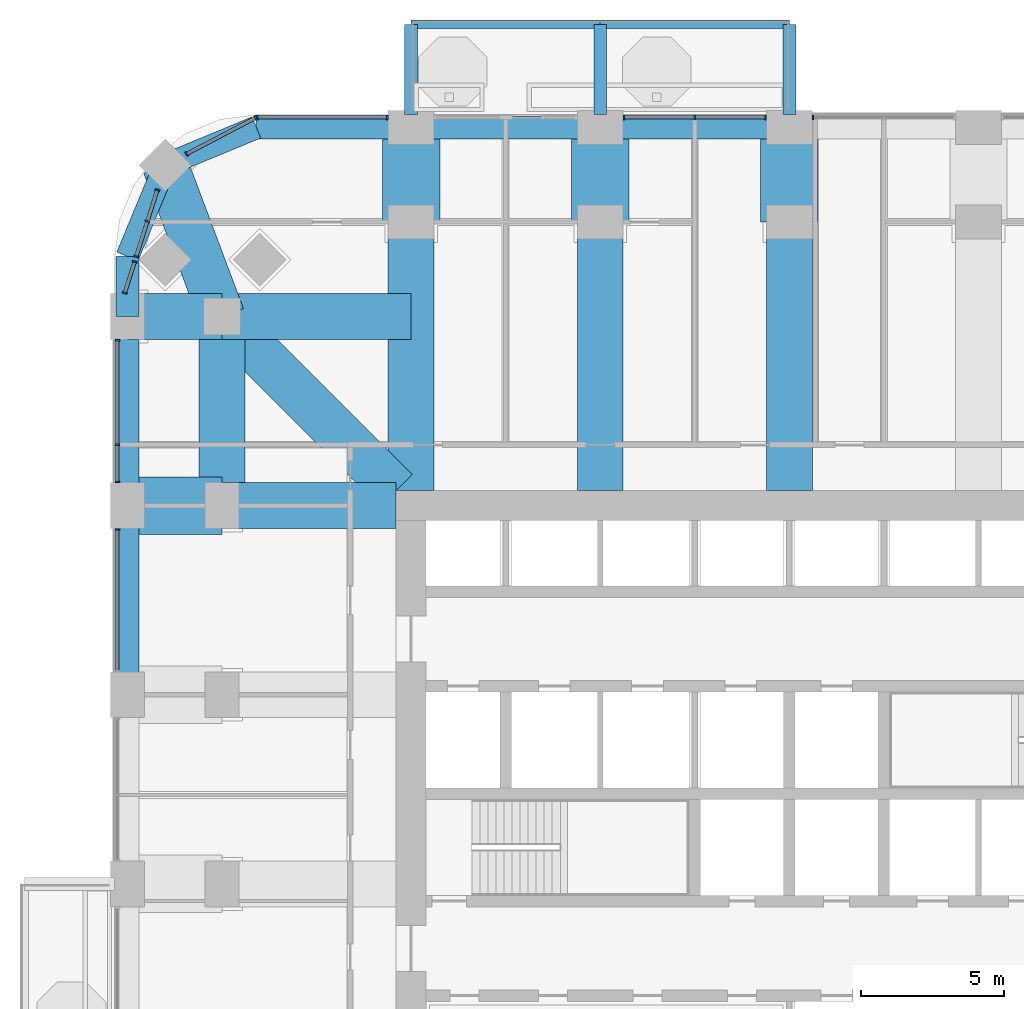
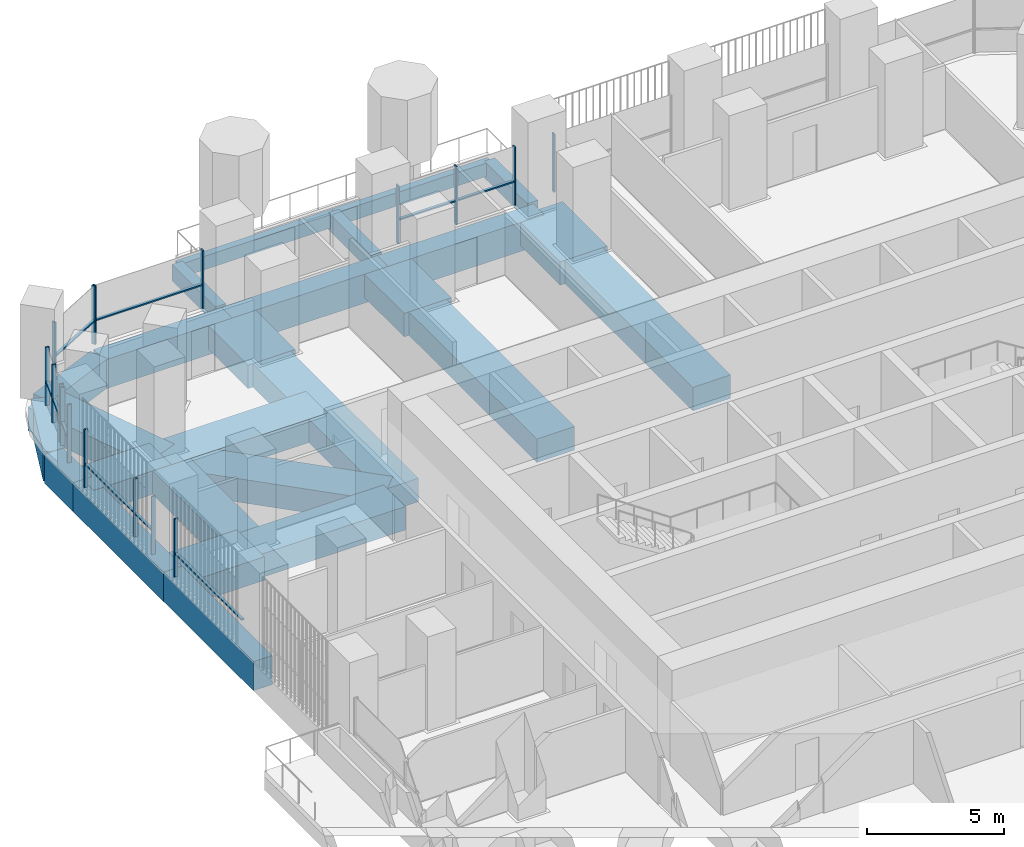
# One storey, part 6 of 21: 27 members, 26 beams, 8 elements without a shape of their own.
"""IFC4 building model written with IfcOpenShell, lengths in metres."""

from ifc_helpers import new_model, si_unit, direction, frame, origin, origin_2d, place, context, subcontext, project, spatial, rectangle, extrude, material, material_profile, profile_set, type_object, element, aggregate, save


model = new_model("IFC4")

# Units and contexts
model_context = context("Model", 3, precision=1e-05, world=origin(), true_north=direction((0.0, 1.0)))
body_context = subcontext(model_context, "Body", "Model", "MODEL_VIEW")
ifc_project = project(units=[si_unit("LENGTHUNIT", "METRE"), si_unit("AREAUNIT", "SQUARE_METRE"), si_unit("VOLUMEUNIT", "CUBIC_METRE"), si_unit("PLANEANGLEUNIT", "RADIAN"), si_unit("MASSUNIT", "GRAM", prefix="KILO")], contexts=[model_context])

# Site, building, storey
site_placement = place(None, origin())
site = spatial("IfcSite", under=ifc_project, at=site_placement, CompositionType="ELEMENT")
building_placement = place(site_placement, origin())
building = spatial("IfcBuilding", under=site, at=building_placement, Name="Cobogo Forest Laboratory Tower", CompositionType="ELEMENT")
storey_placement = place(building_placement, frame((0.0, 0.0, 141.0)))
storey = spatial("IfcBuildingStorey", under=building, at=storey_placement, Name="L32", CompositionType="ELEMENT", Elevation=141.0)

# Beams
ifc_material_1 = material(Name="Concrete HA-40 (C40/50)", Category="concrete")
ifc_material_profile_1 = material_profile(ifc_material_1, rectangle(XDim=0.449951171875, YDim=0.75, at=origin_2d()), Name="RC 450x750")
ifc_profile_set_1 = profile_set([ifc_material_profile_1], Name="Concrete HA-40 (C40/50)")
beam_type_1 = type_object("IfcBeamType", Name="Balcony cantilever beam 450x750", PredefinedType="BEAM", material=ifc_profile_set_1)
for number, where, z_axis, x_axis, name in (
    (1, (13.199951171875, 46.64990234375, -0.625), (0.0, 1.0, 0.0), (-1.0, 0.0, 0.0), "CB1 BAL-N1-C1 L32"),
    (2, (19.800048828125, 46.64990234375, -0.625), (0.0, 1.0, 0.0), (-1.0, 0.0, 0.0), "CB1 BAL-N1-C2 L32"),
    (3, (26.39990234375, 46.64990234375, -0.625), (0.0, 1.0, 0.0), (-1.0, 0.0, 0.0), "CB1 BAL-N1-C3 L32"),
):
    element("IfcBeam", number, at=place(storey_placement, frame(where, z_axis=z_axis, x_axis=x_axis)), inside=storey, type_object=beam_type_1, Name=name, PredefinedType="BEAM", context=body_context, shape_type="SweptSolid", body=[
        extrude(rectangle(XDim=0.449951171875, YDim=0.75, at=origin_2d()), origin(), (0.0, 0.0, 1.0), 3.150146484375),
    ])
ifc_material_profile_2 = material_profile(ifc_material_1, rectangle(XDim=0.300048828125, YDim=0.60009765625, at=origin_2d()), Name="RC 300x600")
ifc_profile_set_2 = profile_set([ifc_material_profile_2], Name="Concrete HA-40 (C40/50)")
beam_type_2 = type_object("IfcBeamType", Name="Balcony edge beam 300x600", PredefinedType="BEAM", material=ifc_profile_set_2)
beam_1_placement = place(storey_placement, frame((13.199951171875, 49.800048828125, -0.550048828125), z_axis=(1.0, 0.0, 0.0), x_axis=(0.0, 1.0, 0.0)))
element("IfcBeam", 4, at=beam_1_placement, inside=storey, type_object=beam_type_2, Name="BB1 BAL-N1-T1 L32", PredefinedType="BEAM", context=body_context, shape_type="SweptSolid", body=[
    extrude(rectangle(XDim=0.300048828125, YDim=0.60009765625, at=origin_2d()), origin(), (0.0, 0.0, 1.0), 6.60009765625),
])
beam_2_placement = place(storey_placement, frame((19.800048828125, 49.800048828125, -0.550048828125), z_axis=(1.0, 0.0, 0.0), x_axis=(0.0, 1.0, 0.0)))
element("IfcBeam", 5, at=beam_2_placement, inside=storey, type_object=beam_type_2, Name="BB1 BAL-N1-T2 L32", PredefinedType="BEAM", context=body_context, shape_type="SweptSolid", body=[
    extrude(rectangle(XDim=0.300048828125, YDim=0.60009765625, at=origin_2d()), origin(), (0.0, 0.0, 1.0), 6.599853515625),
])
ifc_material_2 = material(Name="Concrete HA-50 (C50/60)", Category="concrete")
ifc_material_profile_3 = material_profile(ifc_material_2, rectangle(XDim=2.0, YDim=1.050048828125, at=origin_2d()), Name="RC 2000x1050")
ifc_profile_set_3 = profile_set([ifc_material_profile_3], Name="Concrete HA-50 (C50/60)")
beam_type_3 = type_object("IfcBeamType", Name="End-bay wide beam 2000x1050", PredefinedType="BEAM", material=ifc_profile_set_3)
for number, where, z_axis, x_axis, name in (
    (6, (13.199951171875, 46.199951171875, -0.824951171875), (0.0, -1.0, 0.0), (1.0, 0.0, 0.0), "RB7 R-3-N-X L32"),
    (7, (19.800048828125, 46.199951171875, -0.824951171875), (0.0, -1.0, 0.0), (1.0, 0.0, 0.0), "RB7 R-4-N-X L32"),
    (8, (26.39990234375, 46.199951171875, -0.824951171875), (0.0, -1.0, 0.0), (1.0, 0.0, 0.0), "RB7 R-5-N-X L32"),
    (9, (3.300048828125, 33.0, -0.824951171875), (1.0, 0.0, 0.0), (0.0, 1.0, 0.0), "RB7 R-F-W-X L32"),
):
    element("IfcBeam", number, at=place(storey_placement, frame(where, z_axis=z_axis, x_axis=x_axis)), inside=storey, type_object=beam_type_3, Name=name, PredefinedType="BEAM", context=body_context, shape_type="SweptSolid", body=[
        extrude(rectangle(XDim=2.0, YDim=1.050048828125, at=origin_2d()), origin(), (0.0, 0.0, 1.0), 3.300048828125),
    ])
ifc_material_profile_4 = material_profile(ifc_material_2, rectangle(XDim=1.60009765625, YDim=1.050048828125, at=origin_2d()), Name="RC 1600x1050")
ifc_profile_set_4 = profile_set([ifc_material_profile_4], Name="Concrete HA-50 (C50/60)")
beam_type_4 = type_object("IfcBeamType", Name="Laboratory floor wide beam 1600x1050", PredefinedType="BEAM", material=ifc_profile_set_4)
for number, where, z_axis, x_axis, name in (
    (10, (13.199951171875, 33.52490234375, -0.824951171875), (0.0, 1.0, 0.0), (-1.0, 0.0, 0.0), "RB8 R-3-N L32"),
    (11, (19.800048828125, 33.52490234375, -0.824951171875), (0.0, 1.0, 0.0), (-1.0, 0.0, 0.0), "RB8 R-4-N L32"),
    (12, (26.39990234375, 33.52490234375, -0.824951171875), (0.0, 1.0, 0.0), (-1.0, 0.0, 0.0), "RB8 R-5-N L32"),
):
    element("IfcBeam", number, at=place(storey_placement, frame(where, z_axis=z_axis, x_axis=x_axis)), inside=storey, type_object=beam_type_4, Name=name, PredefinedType="BEAM", context=body_context, shape_type="SweptSolid", body=[
        extrude(rectangle(XDim=1.60009765625, YDim=1.050048828125, at=origin_2d()), origin(), (0.0, 0.0, 1.0), 9.375),
    ])
beam_3_placement = place(storey_placement, frame((12.675048828125, 33.0, -0.824951171875), z_axis=(-1.0, 0.0, 0.0), x_axis=(0.0, -1.0, 0.0)))
element("IfcBeam", 13, at=beam_3_placement, inside=storey, type_object=beam_type_4, Name="RB8 R-F-W L32", PredefinedType="BEAM", context=body_context, shape_type="SweptSolid", body=[
    extrude(rectangle(XDim=1.60009765625, YDim=1.050048828125, at=origin_2d()), origin(), (0.0, 0.0, 1.0), 6.074951171875),
])
beam_4_placement = place(storey_placement, frame((6.60009765625, 39.60009765625, -0.824951171875), z_axis=(0.0, -1.0, 0.0), x_axis=(1.0, 0.0, 0.0)))
element("IfcBeam", 14, at=beam_4_placement, inside=storey, type_object=beam_type_4, Name="RB8 G-NW-XC L32", PredefinedType="BEAM", context=body_context, shape_type="SweptSolid", body=[
    extrude(rectangle(XDim=1.60009765625, YDim=1.050048828125, at=origin_2d()), origin(), (0.0, 0.0, 1.0), 6.60009765625),
])
beam_5_placement = place(storey_placement, frame((3.300048828125, 39.60009765625, -0.824951171875), z_axis=(1.0, 0.0, 0.0), x_axis=(0.0, 1.0, 0.0)))
element("IfcBeam", 15, at=beam_5_placement, inside=storey, type_object=beam_type_4, Name="RB8 G-NW-YF L32", PredefinedType="BEAM", context=body_context, shape_type="SweptSolid", body=[
    extrude(rectangle(XDim=1.60009765625, YDim=1.050048828125, at=origin_2d()), origin(), (0.0, 0.0, 1.0), 3.300048828125),
])
beam_6_placement = place(storey_placement, frame((6.60009765625, 39.60009765625, -0.824951171875), z_axis=(1.0, 0.0, 0.0), x_axis=(0.0, 1.0, 0.0)))
element("IfcBeam", 16, at=beam_6_placement, inside=storey, type_object=beam_type_4, Name="RB8 G-NW-YC L32", PredefinedType="BEAM", context=body_context, shape_type="SweptSolid", body=[
    extrude(rectangle(XDim=1.60009765625, YDim=1.050048828125, at=origin_2d()), origin(), (0.0, 0.0, 1.0), 6.599853515625),
])
beam_7_placement = place(storey_placement, frame((4.617919921875, 44.882080078125, -0.824951171875), z_axis=(0.351346325373, -0.936245565889, 0.0), x_axis=(0.936245565889, 0.351346325373, 0.0)))
element("IfcBeam", 17, at=beam_7_placement, inside=storey, type_object=beam_type_4, Name="RB8 G-NW-D1 L32", PredefinedType="BEAM", context=body_context, shape_type="SweptSolid", body=[
    extrude(rectangle(XDim=1.60009765625, YDim=1.050048828125, at=origin_2d()), origin(), (0.0, 0.0, 1.0), 5.6416015625),
])
beam_8_placement = place(storey_placement, frame((6.60009765625, 39.60009765625, -0.824951171875), z_axis=(0.707092572697, -0.70712098939, 0.0), x_axis=(0.70712098939, 0.707092572697, 0.0)))
element("IfcBeam", 18, at=beam_8_placement, inside=storey, type_object=beam_type_4, Name="RB8 G-NW-D2 L32", PredefinedType="BEAM", context=body_context, shape_type="SweptSolid", body=[
    extrude(rectangle(XDim=1.60009765625, YDim=1.050048828125, at=origin_2d()), origin(), (0.0, 0.0, 1.0), 8.591552734375),
])

# Curtain wall, member
ifc_material_3 = material(Name="Aluminium curtain wall", Category="aluminium")
curtain_wall_type = type_object("IfcCurtainWallType", Name="CW-1 unitised curtain wall, clear glazing, laboratory floors zones A and B", PredefinedType="USERDEFINED", material=ifc_material_3)
curtain_wall_1_placement = place(storey_placement, origin())
curtain_wall_1 = element("IfcCurtainWall", 19, at=curtain_wall_1_placement, inside=storey, type_object=curtain_wall_type, Name="Curtain wall 20 L32", ObjectType="UNITISED CURTAIN WALL", PredefinedType="USERDEFINED")
ifc_material_4 = material(Name="Aluminium mullion", Category="aluminium")
ifc_material_profile_5 = material_profile(ifc_material_4, rectangle(XDim=0.06005859375, YDim=0.159912109375, at=origin_2d()), Name="AL 60x160")
ifc_profile_set_5 = profile_set([ifc_material_profile_5], Name="Aluminium mullion")
member_type_1 = type_object("IfcMemberType", Name="MU-1 aluminium mullion 60x160", PredefinedType="MULLION", material=ifc_profile_set_5)
member_1_placement = place(storey_placement, frame((27.22998046875, 46.550048828125, 0.0), z_axis=(0.0, 0.0, 1.0), x_axis=(-1.0, 0.0, 0.0)))
member_1 = element("IfcMember", 20, at=member_1_placement, type_object=member_type_1, Name="CW-1 mullion 3", PredefinedType="MULLION", context=body_context, shape_type="SweptSolid", body=[
    extrude(rectangle(XDim=0.06005859375, YDim=0.159912109375, at=origin_2d()), origin(), (0.0, 0.0, 1.0), 2.60009765625),
])
aggregate(curtain_wall_1, [member_1])

# Curtain wall, members
curtain_wall_2_placement = place(storey_placement, origin())
curtain_wall_2 = element("IfcCurtainWall", 21, at=curtain_wall_2_placement, inside=storey, type_object=curtain_wall_type, Name="Curtain wall 21 L32", ObjectType="UNITISED CURTAIN WALL", PredefinedType="USERDEFINED")
member_2_placement = place(storey_placement, frame((25.570068359375, 46.550048828125, 0.0), z_axis=(0.0, 0.0, 1.0), x_axis=(-1.0, 0.0, 0.0)))
member_2 = element("IfcMember", 22, at=member_2_placement, type_object=member_type_1, Name="CW-1 mullion 1", PredefinedType="MULLION", context=body_context, shape_type="SweptSolid", body=[
    extrude(rectangle(XDim=0.06005859375, YDim=0.159912109375, at=origin_2d()), origin(), (0.0, 0.0, 1.0), 2.60009765625),
])
member_3_placement = place(storey_placement, frame((23.10009765625, 46.550048828125, 0.0), z_axis=(0.0, 0.0, 1.0), x_axis=(-1.0, 0.0, 0.0)))
member_3 = element("IfcMember", 23, at=member_3_placement, type_object=member_type_1, Name="CW-1 mullion 2", PredefinedType="MULLION", context=body_context, shape_type="SweptSolid", body=[
    extrude(rectangle(XDim=0.06005859375, YDim=0.159912109375, at=origin_2d()), origin(), (0.0, 0.0, 1.0), 2.60009765625),
])
member_4_placement = place(storey_placement, frame((20.6298828125, 46.550048828125, 0.0), z_axis=(0.0, 0.0, 1.0), x_axis=(-1.0, 0.0, 0.0)))
member_4 = element("IfcMember", 24, at=member_4_placement, type_object=member_type_1, Name="CW-1 mullion 3", PredefinedType="MULLION", context=body_context, shape_type="SweptSolid", body=[
    extrude(rectangle(XDim=0.06005859375, YDim=0.159912109375, at=origin_2d()), origin(), (0.0, 0.0, 1.0), 2.60009765625),
])

curtain_wall_3_placement = place(storey_placement, origin())
curtain_wall_3 = element("IfcCurtainWall", 25, at=curtain_wall_3_placement, inside=storey, type_object=curtain_wall_type, Name="Curtain wall 23 L32", ObjectType="UNITISED CURTAIN WALL", PredefinedType="USERDEFINED")
member_5_placement = place(storey_placement, frame((12.3701171875, 46.550048828125, 0.0), z_axis=(0.0, 0.0, 1.0), x_axis=(-1.0, 0.0, 0.0)))
member_5 = element("IfcMember", 26, at=member_5_placement, type_object=member_type_1, Name="CW-1 mullion 1", PredefinedType="MULLION", context=body_context, shape_type="SweptSolid", body=[
    extrude(rectangle(XDim=0.06005859375, YDim=0.159912109375, at=origin_2d()), origin(), (0.0, 0.0, 1.0), 2.60009765625),
])
member_6_placement = place(storey_placement, frame((7.830078125, 46.550048828125, 0.0), z_axis=(0.0, 0.0, 1.0), x_axis=(-1.0, 0.0, 0.0)))
member_6 = element("IfcMember", 27, at=member_6_placement, type_object=member_type_1, Name="CW-1 mullion 2", PredefinedType="MULLION", context=body_context, shape_type="SweptSolid", body=[
    extrude(rectangle(XDim=0.06005859375, YDim=0.159912109375, at=origin_2d()), origin(), (0.0, 0.0, 1.0), 2.60009765625),
])

curtain_wall_4_placement = place(storey_placement, origin())
curtain_wall_4 = element("IfcCurtainWall", 28, at=curtain_wall_4_placement, inside=storey, type_object=curtain_wall_type, Name="Curtain wall 24 L32", ObjectType="UNITISED CURTAIN WALL", PredefinedType="USERDEFINED")
member_7_placement = place(storey_placement, frame((7.7734375, 46.5361328125, 0.0), z_axis=(0.0, 0.0, 1.0), x_axis=(-0.885686547075, -0.464283685186, 0.0)))
member_7 = element("IfcMember", 29, at=member_7_placement, type_object=member_type_1, Name="CW-1 mullion 1", PredefinedType="MULLION", context=body_context, shape_type="SweptSolid", body=[
    extrude(rectangle(XDim=0.06005859375, YDim=0.159912109375, at=origin_2d()), origin(), (0.0, 0.0, 1.0), 2.60009765625),
])
member_8_placement = place(storey_placement, frame((5.368408203125, 45.275390625, 0.0), z_axis=(0.0, 0.0, 1.0), x_axis=(-0.885686547075, -0.464283685186, 0.0)))
member_8 = element("IfcMember", 30, at=member_8_placement, type_object=member_type_1, Name="CW-1 mullion 2", PredefinedType="MULLION", context=body_context, shape_type="SweptSolid", body=[
    extrude(rectangle(XDim=0.06005859375, YDim=0.159912109375, at=origin_2d()), origin(), (0.0, 0.0, 1.0), 2.60009765625),
])

curtain_wall_5_placement = place(storey_placement, origin())
curtain_wall_5 = element("IfcCurtainWall", 31, at=curtain_wall_5_placement, inside=storey, type_object=curtain_wall_type, Name="Curtain wall 25 L32", ObjectType="UNITISED CURTAIN WALL", PredefinedType="USERDEFINED")
member_9_placement = place(storey_placement, frame((4.34423828125, 44.01513671875, 0.0), z_axis=(0.0, 0.0, 1.0), x_axis=(-0.301135291996, -0.953581425949, 0.0)))
member_9 = element("IfcMember", 32, at=member_9_placement, type_object=member_type_1, Name="CW-1 mullion 1", PredefinedType="MULLION", context=body_context, shape_type="SweptSolid", body=[
    extrude(rectangle(XDim=0.06005859375, YDim=0.159912109375, at=origin_2d()), origin(), (0.0, 0.0, 1.0), 2.60009765625),
])
member_10_placement = place(storey_placement, frame((3.999755859375, 42.924072265625, 0.0), z_axis=(0.0, 0.0, 1.0), x_axis=(-0.301135291996, -0.953581425949, 0.0)))
member_10 = element("IfcMember", 33, at=member_10_placement, type_object=member_type_1, Name="CW-1 mullion 2", PredefinedType="MULLION", context=body_context, shape_type="SweptSolid", body=[
    extrude(rectangle(XDim=0.06005859375, YDim=0.159912109375, at=origin_2d()), origin(), (0.0, 0.0, 1.0), 2.60009765625),
])
member_11_placement = place(storey_placement, frame((3.613037109375, 41.69970703125, 0.0), z_axis=(0.0, 0.0, 1.0), x_axis=(-0.301135291996, -0.953581425949, 0.0)))
member_11 = element("IfcMember", 34, at=member_11_placement, type_object=member_type_1, Name="CW-1 mullion 3", PredefinedType="MULLION", context=body_context, shape_type="SweptSolid", body=[
    extrude(rectangle(XDim=0.06005859375, YDim=0.159912109375, at=origin_2d()), origin(), (0.0, 0.0, 1.0), 2.60009765625),
])

curtain_wall_6_placement = place(storey_placement, origin())
curtain_wall_6 = element("IfcCurtainWall", 35, at=curtain_wall_6_placement, inside=storey, type_object=curtain_wall_type, Name="Curtain wall 26 L32", ObjectType="UNITISED CURTAIN WALL", PredefinedType="USERDEFINED")
member_12_placement = place(storey_placement, frame((3.55224609375, 41.507080078125, 0.0), z_axis=(0.0, 0.0, 1.0), x_axis=(-0.301135667865, -0.953581307252, 0.0)))
member_12 = element("IfcMember", 36, at=member_12_placement, type_object=member_type_1, Name="CW-1 mullion 1", PredefinedType="MULLION", context=body_context, shape_type="SweptSolid", body=[
    extrude(rectangle(XDim=0.06005859375, YDim=0.159912109375, at=origin_2d()), origin(), (0.0, 0.0, 1.0), 2.60009765625),
])
member_13_placement = place(storey_placement, frame((3.211669921875, 40.4287109375, 0.0), z_axis=(0.0, 0.0, 1.0), x_axis=(-0.301135667865, -0.953581307252, 0.0)))
member_13 = element("IfcMember", 37, at=member_13_placement, type_object=member_type_1, Name="CW-1 mullion 2", PredefinedType="MULLION", context=body_context, shape_type="SweptSolid", body=[
    extrude(rectangle(XDim=0.06005859375, YDim=0.159912109375, at=origin_2d()), origin(), (0.0, 0.0, 1.0), 2.60009765625),
])

curtain_wall_7_placement = place(storey_placement, origin())
curtain_wall_7 = element("IfcCurtainWall", 38, at=curtain_wall_7_placement, inside=storey, type_object=curtain_wall_type, Name="Curtain wall 27 L32", ObjectType="UNITISED CURTAIN WALL", PredefinedType="USERDEFINED")
member_14_placement = place(storey_placement, frame((2.949951171875, 38.77001953125, 0.0), z_axis=(0.0, 0.0, 1.0), x_axis=(0.0, -1.0, 0.0)))
member_14 = element("IfcMember", 39, at=member_14_placement, type_object=member_type_1, Name="CW-1 mullion 1", PredefinedType="MULLION", context=body_context, shape_type="SweptSolid", body=[
    extrude(rectangle(XDim=0.06005859375, YDim=0.159912109375, at=origin_2d()), origin(), (0.0, 0.0, 1.0), 2.60009765625),
])
member_15_placement = place(storey_placement, frame((2.949951171875, 35.125, 0.0), z_axis=(0.0, 0.0, 1.0), x_axis=(0.0, -1.0, 0.0)))
member_15 = element("IfcMember", 40, at=member_15_placement, type_object=member_type_1, Name="CW-1 mullion 2", PredefinedType="MULLION", context=body_context, shape_type="SweptSolid", body=[
    extrude(rectangle(XDim=0.06005859375, YDim=0.159912109375, at=origin_2d()), origin(), (0.0, 0.0, 1.0), 2.60009765625),
])
member_16_placement = place(storey_placement, frame((2.949951171875, 33.830078125, 0.0), z_axis=(0.0, 0.0, 1.0), x_axis=(0.0, -1.0, 0.0)))
member_16 = element("IfcMember", 41, at=member_16_placement, type_object=member_type_1, Name="CW-1 mullion 3", PredefinedType="MULLION", context=body_context, shape_type="SweptSolid", body=[
    extrude(rectangle(XDim=0.06005859375, YDim=0.159912109375, at=origin_2d()), origin(), (0.0, 0.0, 1.0), 2.60009765625),
])

# Curtain wall, member
curtain_wall_8_placement = place(storey_placement, origin())
curtain_wall_8 = element("IfcCurtainWall", 42, at=curtain_wall_8_placement, inside=storey, type_object=curtain_wall_type, Name="Curtain wall 28 L32", ObjectType="UNITISED CURTAIN WALL", PredefinedType="USERDEFINED")
member_17_placement = place(storey_placement, frame((2.949951171875, 32.169921875, 0.0), z_axis=(0.0, 0.0, 1.0), x_axis=(0.0, -1.0, 0.0)))
member_17 = element("IfcMember", 43, at=member_17_placement, type_object=member_type_1, Name="CW-1 mullion 1", PredefinedType="MULLION", context=body_context, shape_type="SweptSolid", body=[
    extrude(rectangle(XDim=0.06005859375, YDim=0.159912109375, at=origin_2d()), origin(), (0.0, 0.0, 1.0), 2.60009765625),
])

# Beams
ifc_material_profile_6 = material_profile(ifc_material_1, rectangle(XDim=0.800048828125, YDim=1.300048828125, at=origin_2d()), Name="RC 800x1300")
ifc_profile_set_6 = profile_set([ifc_material_profile_6], Name="Concrete HA-40 (C40/50)")
beam_type_5 = type_object("IfcBeamType", Name="Perimeter edge beam 800x1300", PredefinedType="BEAM", material=ifc_profile_set_6)
beam_9_placement = place(storey_placement, frame((13.199951171875, 46.199951171875, -0.949951171875), z_axis=(1.0, 0.0, 0.0), x_axis=(0.0, 1.0, 0.0)))
element("IfcBeam", 44, at=beam_9_placement, inside=storey, type_object=beam_type_5, Name="EB2 E-N1 L32", PredefinedType="BEAM", context=body_context, shape_type="SweptSolid", body=[
    extrude(rectangle(XDim=0.800048828125, YDim=1.300048828125, at=origin_2d()), origin(), (0.0, 0.0, 1.0), 6.60009765625),
])
beam_10_placement = place(storey_placement, frame((19.800048828125, 46.199951171875, -0.949951171875), z_axis=(1.0, 0.0, 0.0), x_axis=(0.0, 1.0, 0.0)))
element("IfcBeam", 45, at=beam_10_placement, inside=storey, type_object=beam_type_5, Name="EB2 E-N2 L32", PredefinedType="BEAM", context=body_context, shape_type="SweptSolid", body=[
    extrude(rectangle(XDim=0.800048828125, YDim=1.300048828125, at=origin_2d()), origin(), (0.0, 0.0, 1.0), 6.599853515625),
])
for number, where, z_axis, x_axis, name in (
    (46, (3.300048828125, 26.39990234375, -0.949951171875), (0.0, 1.0, 0.0), (-1.0, 0.0, 0.0), "EB2 E-W4 L32"),
    (47, (3.300048828125, 33.0, -0.949951171875), (0.0, 1.0, 0.0), (-1.0, 0.0, 0.0), "EB2 E-W5 L32"),
):
    element("IfcBeam", number, at=place(storey_placement, frame(where, z_axis=z_axis, x_axis=x_axis)), inside=storey, type_object=beam_type_5, Name=name, PredefinedType="BEAM", context=body_context, shape_type="SweptSolid", body=[
        extrude(rectangle(XDim=0.800048828125, YDim=1.300048828125, at=origin_2d()), origin(), (0.0, 0.0, 1.0), 6.60009765625),
    ])
beam_11_placement = place(storey_placement, frame((13.199951171875, 46.199951171875, -0.949951171875), z_axis=(-1.0, 0.0, 0.0), x_axis=(0.0, -1.0, 0.0)))
element("IfcBeam", 48, at=beam_11_placement, inside=storey, type_object=beam_type_5, Name="EB2 E-NWN1 L32", PredefinedType="BEAM", context=body_context, shape_type="SweptSolid", body=[
    extrude(rectangle(XDim=0.800048828125, YDim=1.300048828125, at=origin_2d()), origin(), (0.0, 0.0, 1.0), 5.39990234375),
])
beam_12_placement = place(storey_placement, frame((7.800048828125, 46.199951171875, -0.949951171875), z_axis=(-0.923901072997, -0.382631424892, 0.0), x_axis=(0.382631424892, -0.923901072997, 0.0)))
element("IfcBeam", 49, at=beam_12_placement, inside=storey, type_object=beam_type_5, Name="EB2 E-NWN2 L32", PredefinedType="BEAM", context=body_context, shape_type="SweptSolid", body=[
    extrude(rectangle(XDim=0.800048828125, YDim=1.300048828125, at=origin_2d()), origin(), (0.0, 0.0, 1.0), 3.4443359375),
])
beam_13_placement = place(storey_placement, frame((3.300048828125, 39.60009765625, -0.949951171875), z_axis=(0.0, 1.0, 0.0), x_axis=(-1.0, 0.0, 0.0)))
element("IfcBeam", 50, at=beam_13_placement, inside=storey, type_object=beam_type_5, Name="EB2 E-NWW1 L32", PredefinedType="BEAM", context=body_context, shape_type="SweptSolid", body=[
    extrude(rectangle(XDim=0.800048828125, YDim=1.300048828125, at=origin_2d()), origin(), (0.0, 0.0, 1.0), 2.099853515625),
])
beam_14_placement = place(storey_placement, frame((3.300048828125, 41.699951171875, -0.949951171875), z_axis=(0.382631424892, 0.923901072997, 0.0), x_axis=(-0.923901072997, 0.382631424892, 0.0)))
element("IfcBeam", 51, at=beam_14_placement, inside=storey, type_object=beam_type_5, Name="EB2 E-NWW2 L32", PredefinedType="BEAM", context=body_context, shape_type="SweptSolid", body=[
    extrude(rectangle(XDim=0.800048828125, YDim=1.300048828125, at=origin_2d()), origin(), (0.0, 0.0, 1.0), 3.4443359375),
])

# Member
ifc_material_5 = material(Name="Aluminium transom", Category="aluminium")
ifc_material_profile_7 = material_profile(ifc_material_5, rectangle(XDim=0.1201171875, YDim=0.06005859375, at=origin_2d()), Name="AL 60x120")
ifc_profile_set_7 = profile_set([ifc_material_profile_7], Name="Aluminium transom")
member_type_2 = type_object("IfcMemberType", Name="TR-1 aluminium transom 60x120", PredefinedType="USERDEFINED", material=ifc_profile_set_7)
member_18_placement = place(storey_placement, frame((25.5400390625, 46.550048828125, 1.050048828125), z_axis=(-1.0, 0.0, 0.0), x_axis=(0.0, -1.0, 0.0)))
member_18 = element("IfcMember", 52, at=member_18_placement, type_object=member_type_2, Name="CW-1 transom 1.1", ObjectType="TRANSOM", PredefinedType="USERDEFINED", context=body_context, shape_type="SweptSolid", body=[
    extrude(rectangle(XDim=0.1201171875, YDim=0.06005859375, at=origin_2d()), origin(), (0.0, 0.0, 1.0), 2.41015625),
])

member_19_placement = place(storey_placement, frame((23.070068359375, 46.550048828125, 1.050048828125), z_axis=(-1.0, 0.0, 0.0), x_axis=(0.0, -1.0, 0.0)))
member_19 = element("IfcMember", 53, at=member_19_placement, type_object=member_type_2, Name="CW-1 transom 2.1", ObjectType="TRANSOM", PredefinedType="USERDEFINED", context=body_context, shape_type="SweptSolid", body=[
    extrude(rectangle(XDim=0.1201171875, YDim=0.06005859375, at=origin_2d()), origin(), (0.0, 0.0, 1.0), 2.41015625),
])

aggregate(curtain_wall_2, [member_2, member_3, member_4, member_18, member_19])

member_20_placement = place(storey_placement, frame((12.340087890625, 46.550048828125, 1.050048828125), z_axis=(-1.0, 0.0, 0.0), x_axis=(0.0, -1.0, 0.0)))
member_20 = element("IfcMember", 54, at=member_20_placement, type_object=member_type_2, Name="CW-1 transom 1.1", ObjectType="TRANSOM", PredefinedType="USERDEFINED", context=body_context, shape_type="SweptSolid", body=[
    extrude(rectangle(XDim=0.1201171875, YDim=0.06005859375, at=origin_2d()), origin(), (0.0, 0.0, 1.0), 4.47998046875),
])

aggregate(curtain_wall_3, [member_5, member_6, member_20])

member_21_placement = place(storey_placement, frame((7.746826171875, 46.522216796875, 1.050048828125), z_axis=(-0.885694740493, -0.464268054753, 0.0), x_axis=(0.464268054753, -0.885694740493, 0.0)))
member_21 = element("IfcMember", 55, at=member_21_placement, type_object=member_type_2, Name="CW-1 transom 1.1", ObjectType="TRANSOM", PredefinedType="USERDEFINED", context=body_context, shape_type="SweptSolid", body=[
    extrude(rectangle(XDim=0.1201171875, YDim=0.06005859375, at=origin_2d()), origin(), (0.0, 0.0, 1.0), 2.655517578125),
])

aggregate(curtain_wall_4, [member_7, member_8, member_21])

member_22_placement = place(storey_placement, frame((4.335205078125, 43.986328125, 1.050048828125), z_axis=(-0.301120589075, -0.953586068918, 0.0), x_axis=(0.953586068918, -0.301120589075, 0.0)))
member_22 = element("IfcMember", 56, at=member_22_placement, type_object=member_type_2, Name="CW-1 transom 1.1", ObjectType="TRANSOM", PredefinedType="USERDEFINED", context=body_context, shape_type="SweptSolid", body=[
    extrude(rectangle(XDim=0.1201171875, YDim=0.06005859375, at=origin_2d()), origin(), (0.0, 0.0, 1.0), 1.083984375),
])

member_23_placement = place(storey_placement, frame((3.99072265625, 42.8955078125, 1.050048828125), z_axis=(-0.301169549566, -0.953570606937, 0.0), x_axis=(0.953570606937, -0.301169549566, 0.0)))
member_23 = element("IfcMember", 57, at=member_23_placement, type_object=member_type_2, Name="CW-1 transom 2.1", ObjectType="TRANSOM", PredefinedType="USERDEFINED", context=body_context, shape_type="SweptSolid", body=[
    extrude(rectangle(XDim=0.1201171875, YDim=0.06005859375, at=origin_2d()), origin(), (0.0, 0.0, 1.0), 1.22412109375),
])

aggregate(curtain_wall_5, [member_9, member_10, member_11, member_22, member_23])

member_24_placement = place(storey_placement, frame((3.543212890625, 41.478515625, 1.050048828125), z_axis=(-0.3011422781, -0.953579219751, 0.0), x_axis=(0.953579219751, -0.3011422781, 0.0)))
member_24 = element("IfcMember", 58, at=member_24_placement, type_object=member_type_2, Name="CW-1 transom 1.1", ObjectType="TRANSOM", PredefinedType="USERDEFINED", context=body_context, shape_type="SweptSolid", body=[
    extrude(rectangle(XDim=0.1201171875, YDim=0.06005859375, at=origin_2d()), origin(), (0.0, 0.0, 1.0), 1.071044921875),
])

aggregate(curtain_wall_6, [member_12, member_13, member_24])

member_25_placement = place(storey_placement, frame((2.949951171875, 38.739990234375, 1.050048828125), z_axis=(0.0, -1.0, 0.0), x_axis=(1.0, 0.0, 0.0)))
member_25 = element("IfcMember", 59, at=member_25_placement, type_object=member_type_2, Name="CW-1 transom 1.1", ObjectType="TRANSOM", PredefinedType="USERDEFINED", context=body_context, shape_type="SweptSolid", body=[
    extrude(rectangle(XDim=0.1201171875, YDim=0.06005859375, at=origin_2d()), origin(), (0.0, 0.0, 1.0), 3.5849609375),
])

member_26_placement = place(storey_placement, frame((2.949951171875, 35.094970703125, 1.050048828125), z_axis=(0.0, -1.0, 0.0), x_axis=(1.0, 0.0, 0.0)))
member_26 = element("IfcMember", 60, at=member_26_placement, type_object=member_type_2, Name="CW-1 transom 2.1", ObjectType="TRANSOM", PredefinedType="USERDEFINED", context=body_context, shape_type="SweptSolid", body=[
    extrude(rectangle(XDim=0.1201171875, YDim=0.06005859375, at=origin_2d()), origin(), (0.0, 0.0, 1.0), 1.23486328125),
])

aggregate(curtain_wall_7, [member_14, member_15, member_16, member_25, member_26])

member_27_placement = place(storey_placement, frame((2.949951171875, 32.139892578125, 1.050048828125), z_axis=(0.0, -1.0, 0.0), x_axis=(1.0, 0.0, 0.0)))
member_27 = element("IfcMember", 61, at=member_27_placement, type_object=member_type_2, Name="CW-1 transom 1.1", ObjectType="TRANSOM", PredefinedType="USERDEFINED", context=body_context, shape_type="SweptSolid", body=[
    extrude(rectangle(XDim=0.1201171875, YDim=0.06005859375, at=origin_2d()), origin(), (0.0, 0.0, 1.0), 4.8798828125),
])

aggregate(curtain_wall_8, [member_17, member_27])

save(model, "model.ifc")
